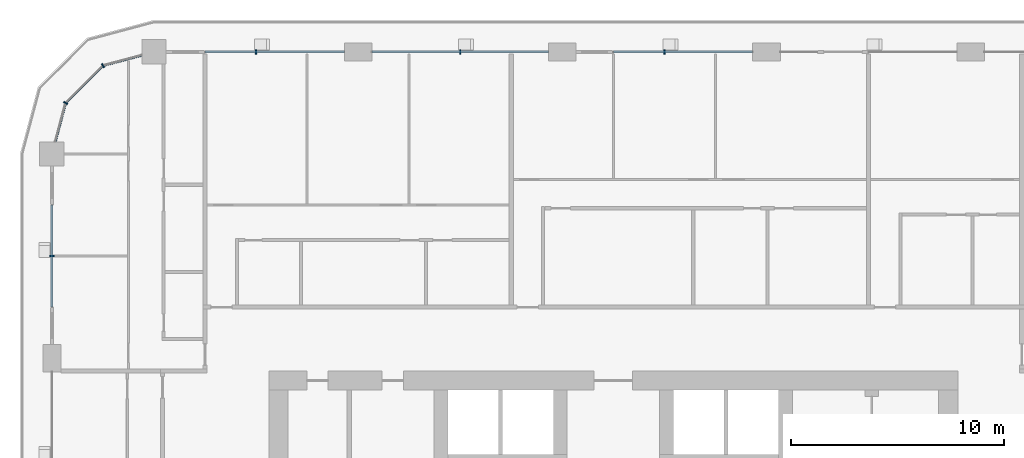
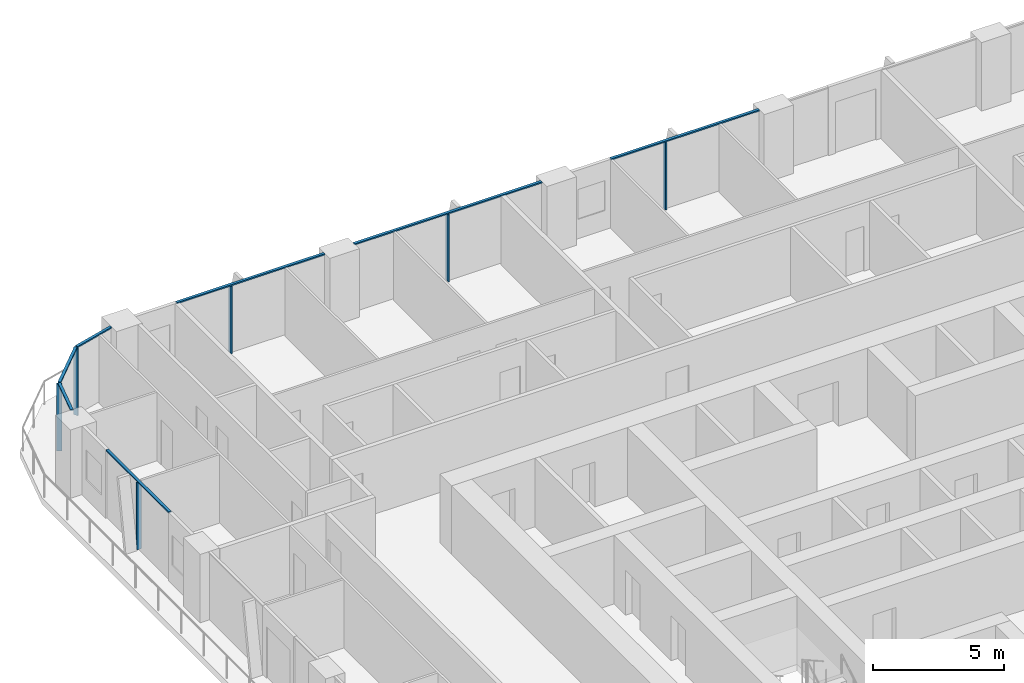
# One storey, part 5 of 21: 13 members, 5 elements without a shape of their own.
"""IFC4 building model written with IfcOpenShell, lengths in metres."""

import ifcopenshell
import ifcopenshell.guid

model = None  # the IFC model being written
_history = None  # IfcOwnerHistory: only IFC2X3 demands one
_inside = {}  # id of a spatial element -> (the spatial element, [elements in it])
_under = {}  # id of a project, library or spatial element -> (it, [spatial elements below it])
_declared = {}  # id of a project -> (the project, [libraries it declares])
_typed = {}  # id of a type object -> (the type object, [elements of that type])
_made_of = {}  # id of a material, layer set ... -> (it, [elements and type objects made of it])


def new_model(schema):
    """Start an empty IFC model of exactly this schema.

    Asked for "IFC4X3", IfcOpenShell would pick the latest addendum, in which some entities
    have other attributes; the version numbers below select the first issue.
    IFC2X3 requires an IfcOwnerHistory on every rooted entity: one is made here for all.
    """
    global model, _history
    if schema == "IFC4X3":
        model = ifcopenshell.file(schema_version=(4, 3, 0, 0))
    else:
        model = ifcopenshell.file(schema=schema)
    _inside.clear()
    _under.clear()
    _declared.clear()
    _typed.clear()
    _made_of.clear()
    _history = None
    if model.schema == "IFC2X3":
        org = make("IfcOrganization", Name="unknown")
        user = make(
            "IfcPersonAndOrganization",
            ThePerson=make("IfcPerson", FamilyName="unknown"),
            TheOrganization=org,
        )
        app = make(
            "IfcApplication",
            ApplicationDeveloper=org,
            Version="unknown",
            ApplicationFullName="unknown",
            ApplicationIdentifier="unknown",
        )
        _history = make(
            "IfcOwnerHistory",
            OwningUser=user,
            OwningApplication=app,
            ChangeAction="ADDED",
            CreationDate=0,
        )
    return model


def make(cls, **values):
    """One entity of the class cls with the attributes given. An attribute that is None is left unset."""
    return model.create_entity(
        cls, **{name: value for name, value in values.items() if value is not None}
    )


def rooted(cls, **values):
    """An entity with a GlobalId (a new one), such as an element, a storey or a relation."""
    return make(cls, GlobalId=ifcopenshell.guid.new(), OwnerHistory=_history, **values)


def si_unit(unit_type, name, prefix=None):
    """IfcSIUnit, for example si_unit("LENGTHUNIT", "METRE", prefix="MILLI")."""
    return make("IfcSIUnit", UnitType=unit_type, Prefix=prefix, Name=name)


def assignment(units):
    """IfcUnitAssignment: the units of a project."""
    return None if units is None else make("IfcUnitAssignment", Units=units)


def point(xyz):
    """IfcCartesianPoint."""
    return None if xyz is None else make("IfcCartesianPoint", Coordinates=xyz)


def direction(xyz):
    """IfcDirection."""
    return None if xyz is None else make("IfcDirection", DirectionRatios=xyz)


def frame(location, z_axis=None, x_axis=None):
    """IfcAxis2Placement3D, a coordinate frame: its origin and axes. An axis left out is left unset."""
    return make(
        "IfcAxis2Placement3D",
        Location=point(location),
        Axis=direction(z_axis),
        RefDirection=direction(x_axis),
    )


def frame_2d(location, x_axis=None):
    """IfcAxis2Placement2D, a coordinate frame in the plane: its origin and x axis."""
    return make(
        "IfcAxis2Placement2D", Location=point(location), RefDirection=direction(x_axis)
    )


def origin():
    """The frame at (0, 0, 0) with its axes left unset."""
    return frame((0.0, 0.0, 0.0))


def origin_2d():
    """The frame at (0, 0) in the plane with its x axis left unset."""
    return frame_2d((0.0, 0.0))


def place(relative_to, where):
    """IfcLocalPlacement: puts the frame where relative to a parent placement (None: the world)."""
    return make(
        "IfcLocalPlacement", PlacementRelTo=relative_to, RelativePlacement=where
    )


def context(
    kind, dimensions, precision=None, world=None, true_north=None, identifier=None
):
    """IfcGeometricRepresentationContext, for example the 3D "Model" context."""
    return make(
        "IfcGeometricRepresentationContext",
        ContextIdentifier=identifier,
        ContextType=kind,
        CoordinateSpaceDimension=dimensions,
        Precision=precision,
        WorldCoordinateSystem=world,
        TrueNorth=true_north,
    )


def subcontext(parent, identifier, kind, view, scale=None):
    """IfcGeometricRepresentationSubContext, for example "Body" below "Model"."""
    return make(
        "IfcGeometricRepresentationSubContext",
        ContextIdentifier=identifier,
        ContextType=kind,
        ParentContext=parent,
        TargetScale=scale,
        TargetView=view,
    )


def project(units=None, contexts=None):
    """IfcProject with its units and contexts."""
    return rooted(
        "IfcProject",
        Name="project",
        RepresentationContexts=contexts,
        UnitsInContext=assignment(units),
    )


def spatial(cls, under=None, at=None, **own):
    """A site, building, storey or space (cls), placed at a placement, below another one or the project."""
    s = rooted(cls, ObjectPlacement=at, **own)
    if under is not None:
        _under.setdefault(under.id(), (under, []))[1].append(s)
    return s


def profile(cls, at=None, kind="AREA", **sizes):
    """A parametric profile (cls). Its sizes go by their IFC names, for example OverallWidth=200.0."""
    return make(cls, ProfileType=kind, Position=at, **sizes)


def rectangle(**sizes):
    """IfcRectangleProfileDef."""
    return profile("IfcRectangleProfileDef", **sizes)


def extrude(swept, where, along, depth):
    """IfcExtrudedAreaSolid: the profile swept, set in the frame where, extruded along a direction by depth."""
    return make(
        "IfcExtrudedAreaSolid",
        SweptArea=swept,
        Position=where,
        ExtrudedDirection=direction(along),
        Depth=depth,
    )


def shape(context_of_items, identifier, shape_type, items):
    """IfcShapeRepresentation: the items that make up one representation, for example the "Body"."""
    return make(
        "IfcShapeRepresentation",
        ContextOfItems=context_of_items,
        RepresentationIdentifier=identifier,
        RepresentationType=shape_type,
        Items=items,
    )


def material(Name=None, Category=None):
    """IfcMaterial."""
    return make("IfcMaterial", Name=Name, Category=Category)


def layer(
    of_material, thickness, ventilated=None, Name=None, Category=None, Priority=None
):
    """IfcMaterialLayer: one layer of a wall or slab, of a material (None: an air gap)."""
    return make(
        "IfcMaterialLayer",
        Material=of_material,
        LayerThickness=thickness,
        IsVentilated=ventilated,
        Name=Name,
        Category=Category,
        Priority=Priority,
    )


def layer_set(layers, Name=None):
    """IfcMaterialLayerSet."""
    return make("IfcMaterialLayerSet", MaterialLayers=layers, LayerSetName=Name)


def material_profile(
    of_material, cross_section, Name=None, Category=None, Priority=None
):
    """IfcMaterialProfile: a cross section and its material."""
    return make(
        "IfcMaterialProfile",
        Name=Name,
        Material=of_material,
        Profile=cross_section,
        Priority=Priority,
        Category=Category,
    )


def profile_set(profiles, Name=None, composite=None):
    """IfcMaterialProfileSet."""
    return make(
        "IfcMaterialProfileSet",
        Name=Name,
        MaterialProfiles=profiles,
        CompositeProfile=composite,
    )


def made_of(thing, what):
    """Note that an element or type object is made of a material, layer set ...; save() writes the relation."""
    if what is not None:
        _made_of.setdefault(what.id(), (what, []))[1].append(thing)
    return thing


def type_object(cls, material=None, **own):
    """A type object (cls), such as IfcWallType, which elements share."""
    return made_of(rooted(cls, **own), material)


def element(
    cls,
    number,
    at=None,
    inside=None,
    cuts=None,
    type_object=None,
    material=None,
    context=None,
    identifier="Body",
    shape_type=None,
    held_by="IfcProductDefinitionShape",
    body=None,
    shapes=None,
    **own,
):
    """One element of the class cls, such as IfcWall. Its Tag is "e" and its number.

    at: its placement. inside: the storey or other place that contains it. cuts: it is an
    opening in that element (IfcRelVoidsElement). A single representation is given by context,
    identifier, shape_type and body (its items); several are given by shapes. held_by: the class
    of the entity that holds the representations. save() writes the other relations.
    """
    e = rooted(cls, Tag="e%d" % number, ObjectPlacement=at, **own)
    if body is not None:
        shapes = [shape(context, identifier, shape_type, body)]
    if shapes is not None:
        e.Representation = make(held_by, Representations=shapes)
    if inside is not None:
        _inside.setdefault(inside.id(), (inside, []))[1].append(e)
    if cuts is not None:
        rooted(
            "IfcRelVoidsElement", RelatingBuildingElement=cuts, RelatedOpeningElement=e
        )
    if type_object is not None:
        _typed.setdefault(type_object.id(), (type_object, []))[1].append(e)
    return made_of(e, material)


def aggregate(whole, parts):
    """IfcRelAggregates: a whole, such as a stair, and the parts it consists of."""
    return rooted("IfcRelAggregates", RelatingObject=whole, RelatedObjects=parts)


def save(model, path):
    """Write the relations noted so far, then the file.

    IfcRelAggregates (storeys below a building ...), IfcRelContainedInSpatialStructure (elements
    in a storey), IfcRelDefinesByType, IfcRelAssociatesMaterial and IfcRelDeclares: one each for
    every whole, place, type object, material and project.
    """
    for whole, parts in _under.values():
        aggregate(whole, parts)
    for where, things in _inside.values():
        rooted(
            "IfcRelContainedInSpatialStructure",
            RelatedElements=things,
            RelatingStructure=where,
        )
    for kind, things in _typed.values():
        rooted("IfcRelDefinesByType", RelatedObjects=things, RelatingType=kind)
    for what, things in _made_of.values():
        rooted("IfcRelAssociatesMaterial", RelatedObjects=things, RelatingMaterial=what)
    for by, libraries in _declared.values():
        rooted("IfcRelDeclares", RelatingContext=by, RelatedDefinitions=libraries)
    model.write(path)


model = new_model("IFC4")

# Units and contexts
model_context = context("Model", 3, precision=1e-05, world=origin(), true_north=direction((0.0, 1.0)))
body_context = subcontext(model_context, "Body", "Model", "MODEL_VIEW")
ifc_project = project(units=[si_unit("LENGTHUNIT", "METRE"), si_unit("AREAUNIT", "SQUARE_METRE"), si_unit("VOLUMEUNIT", "CUBIC_METRE"), si_unit("PLANEANGLEUNIT", "RADIAN"), si_unit("MASSUNIT", "GRAM", prefix="KILO")], contexts=[model_context])

# Site, building, storey
site_placement = place(None, origin())
site = spatial("IfcSite", under=ifc_project, at=site_placement, CompositionType="ELEMENT")
building_placement = place(site_placement, origin())
building = spatial("IfcBuilding", under=site, at=building_placement, Name="Madar Terraces", CompositionType="ELEMENT")
storey_placement = place(building_placement, frame((0.0, 0.0, 92.699951171875)))
storey = spatial("IfcBuildingStorey", under=building, at=storey_placement, Name="L23", CompositionType="ELEMENT", Elevation=92.699951171875)

# Curtain wall, member
ifc_material_1 = material(Name="Glass, ceramic frit dark grey, with black aluminium frame", Category="aluminium")
ifc_layer = layer(ifc_material_1, 0.199951171875)
ifc_layer_set = layer_set([ifc_layer], Name="Facade curtain wall, fritted glass")
curtain_wall_type = type_object("IfcCurtainWallType", Name="Facade curtain wall, fritted glass", PredefinedType="NOTDEFINED", material=ifc_layer_set)
curtain_wall_1_placement = place(storey_placement, origin())
curtain_wall_1 = element("IfcCurtainWall", 1, at=curtain_wall_1_placement, inside=storey, type_object=curtain_wall_type, Name="Outer skin curtain wall north bay 3", PredefinedType="NOTDEFINED")
ifc_material_2 = material(Name="Aluminium, black anodised", Category="aluminium")
ifc_material_profile_1 = material_profile(ifc_material_2, rectangle(XDim=0.199951171875, YDim=0.06005859375, at=origin_2d()), Name="Facade mullion 60x200")
ifc_profile_set_1 = profile_set([ifc_material_profile_1], Name="Aluminium, black anodised")
member_type_1 = type_object("IfcMemberType", Name="Facade mullion 60x200", PredefinedType="MULLION", material=ifc_profile_set_1)
member_1_placement = place(storey_placement, frame((33.60009765625, 52.800048828125, 0.0), z_axis=(0.0, 0.0, 1.0), x_axis=(0.0, -1.0, 0.0)))
member_1 = element("IfcMember", 2, at=member_1_placement, type_object=member_type_1, Name="Mullion 1", PredefinedType="MULLION", context=body_context, shape_type="SweptSolid", body=[
    extrude(rectangle(XDim=0.199951171875, YDim=0.06005859375, at=origin_2d()), origin(), (0.0, 0.0, 1.0), 3.14013671875),
])

curtain_wall_2_placement = place(storey_placement, origin())
curtain_wall_2 = element("IfcCurtainWall", 3, at=curtain_wall_2_placement, inside=storey, type_object=curtain_wall_type, Name="Outer skin curtain wall north bay 4", PredefinedType="NOTDEFINED")
member_2_placement = place(storey_placement, frame((24.0, 52.800048828125, 0.0), z_axis=(0.0, 0.0, 1.0), x_axis=(0.0, -1.0, 0.0)))
member_2 = element("IfcMember", 4, at=member_2_placement, type_object=member_type_1, Name="Mullion 1", PredefinedType="MULLION", context=body_context, shape_type="SweptSolid", body=[
    extrude(rectangle(XDim=0.199951171875, YDim=0.06005859375, at=origin_2d()), origin(), (0.0, 0.0, 1.0), 3.14013671875),
])

curtain_wall_3_placement = place(storey_placement, origin())
curtain_wall_3 = element("IfcCurtainWall", 5, at=curtain_wall_3_placement, inside=storey, type_object=curtain_wall_type, Name="Outer skin curtain wall north bay 5", PredefinedType="NOTDEFINED")
member_3_placement = place(storey_placement, frame((14.39990234375, 52.800048828125, 0.0), z_axis=(0.0, 0.0, 1.0), x_axis=(0.0, -1.0, 0.0)))
member_3 = element("IfcMember", 6, at=member_3_placement, type_object=member_type_1, Name="Mullion 1", PredefinedType="MULLION", context=body_context, shape_type="SweptSolid", body=[
    extrude(rectangle(XDim=0.199951171875, YDim=0.06005859375, at=origin_2d()), origin(), (0.0, 0.0, 1.0), 3.14013671875),
])

curtain_wall_4_placement = place(storey_placement, origin())
curtain_wall_4 = element("IfcCurtainWall", 7, at=curtain_wall_4_placement, inside=storey, type_object=curtain_wall_type, Name="Outer skin curtain wall west bay 1", PredefinedType="NOTDEFINED")
member_4_placement = place(storey_placement, frame((4.800048828125, 43.199951171875, 0.0), z_axis=(0.0, 0.0, 1.0), x_axis=(1.0, 0.0, 0.0)))
member_4 = element("IfcMember", 8, at=member_4_placement, type_object=member_type_1, Name="Mullion 1", PredefinedType="MULLION", context=body_context, shape_type="SweptSolid", body=[
    extrude(rectangle(XDim=0.199951171875, YDim=0.06005859375, at=origin_2d()), origin(), (0.0, 0.0, 1.0), 3.14013671875),
])

# Curtain wall, members
curtain_wall_5_placement = place(storey_placement, origin())
curtain_wall_5 = element("IfcCurtainWall", 9, at=curtain_wall_5_placement, inside=storey, type_object=curtain_wall_type, Name="Outer skin curtain wall north-west corner", PredefinedType="NOTDEFINED")
member_5_placement = place(storey_placement, frame((7.199951171875, 52.156982421875, 0.0), z_axis=(0.0, 0.0, 1.0), x_axis=(0.499999989586, -0.866025409797, 0.0)))
member_5 = element("IfcMember", 10, at=member_5_placement, type_object=member_type_1, Name="Mullion 1", PredefinedType="MULLION", context=body_context, shape_type="SweptSolid", body=[
    extrude(rectangle(XDim=0.199951171875, YDim=0.06005859375, at=origin_2d()), origin(), (0.0, 0.0, 1.0), 3.14013671875),
])
member_6_placement = place(storey_placement, frame((5.443115234375, 50.39990234375, 0.0), z_axis=(0.0, 0.0, 1.0), x_axis=(0.866025409797, -0.499999989586, 0.0)))
member_6 = element("IfcMember", 11, at=member_6_placement, type_object=member_type_1, Name="Mullion 2", PredefinedType="MULLION", context=body_context, shape_type="SweptSolid", body=[
    extrude(rectangle(XDim=0.199951171875, YDim=0.06005859375, at=origin_2d()), origin(), (0.0, 0.0, 1.0), 3.14013671875),
])

# Member
ifc_material_3 = material(Name="Aluminium, black anodised", Category="aluminium")
ifc_material_profile_2 = material_profile(ifc_material_3, rectangle(XDim=0.1201171875, YDim=0.06005859375, at=origin_2d()), Name="Facade transom 60x120")
ifc_profile_set_2 = profile_set([ifc_material_profile_2], Name="Aluminium, black anodised")
member_type_2 = type_object("IfcMemberType", Name="Facade transom 60x120", PredefinedType="USERDEFINED", material=ifc_profile_set_2)
member_7_placement = place(storey_placement, frame((37.75, 52.800048828125, 3.170166015625), z_axis=(-1.0, 0.0, 0.0), x_axis=(0.0, -1.0, 0.0)))
member_7 = element("IfcMember", 12, at=member_7_placement, type_object=member_type_2, Name="Transom 1", ObjectType="TRANSOM", PredefinedType="USERDEFINED", context=body_context, shape_type="SweptSolid", body=[
    extrude(rectangle(XDim=0.1201171875, YDim=0.06005859375, at=origin_2d()), origin(), (0.0, 0.0, 1.0), 6.550048828125),
])

aggregate(curtain_wall_1, [member_1, member_7])

member_8_placement = place(storey_placement, frame((28.14990234375, 52.800048828125, 3.170166015625), z_axis=(-1.0, 0.0, 0.0), x_axis=(0.0, -1.0, 0.0)))
member_8 = element("IfcMember", 13, at=member_8_placement, type_object=member_type_2, Name="Transom 1", ObjectType="TRANSOM", PredefinedType="USERDEFINED", context=body_context, shape_type="SweptSolid", body=[
    extrude(rectangle(XDim=0.1201171875, YDim=0.06005859375, at=origin_2d()), origin(), (0.0, 0.0, 1.0), 8.2998046875),
])

aggregate(curtain_wall_2, [member_2, member_8])

member_9_placement = place(storey_placement, frame((18.550048828125, 52.800048828125, 3.170166015625), z_axis=(-1.0, 0.0, 0.0), x_axis=(0.0, -1.0, 0.0)))
member_9 = element("IfcMember", 14, at=member_9_placement, type_object=member_type_2, Name="Transom 1", ObjectType="TRANSOM", PredefinedType="USERDEFINED", context=body_context, shape_type="SweptSolid", body=[
    extrude(rectangle(XDim=0.1201171875, YDim=0.06005859375, at=origin_2d()), origin(), (0.0, 0.0, 1.0), 6.550048828125),
])

aggregate(curtain_wall_3, [member_3, member_9])

member_10_placement = place(storey_placement, frame((4.800048828125, 45.60009765625, 3.170166015625), z_axis=(0.0, -1.0, 0.0), x_axis=(1.0, 0.0, 0.0)))
member_10 = element("IfcMember", 15, at=member_10_placement, type_object=member_type_2, Name="Transom 1", ObjectType="TRANSOM", PredefinedType="USERDEFINED", context=body_context, shape_type="SweptSolid", body=[
    extrude(rectangle(XDim=0.1201171875, YDim=0.06005859375, at=origin_2d()), origin(), (0.0, 0.0, 1.0), 4.800048828125),
])

aggregate(curtain_wall_4, [member_4, member_10])

member_11_placement = place(storey_placement, frame((9.02490234375, 52.64599609375, 3.170166015625), z_axis=(-0.965926950947, -0.258814847786, 0.0), x_axis=(0.258814847786, -0.965926950947, 0.0)))
member_11 = element("IfcMember", 16, at=member_11_placement, type_object=member_type_2, Name="Transom 1", ObjectType="TRANSOM", PredefinedType="USERDEFINED", context=body_context, shape_type="SweptSolid", body=[
    extrude(rectangle(XDim=0.1201171875, YDim=0.06005859375, at=origin_2d()), origin(), (0.0, 0.0, 1.0), 1.859130859375),
])

member_12_placement = place(storey_placement, frame((7.1787109375, 52.1357421875, 3.170166015625), z_axis=(-0.707056433593, -0.707157125196, 0.0), x_axis=(0.707157125196, -0.707056433593, 0.0)))
member_12 = element("IfcMember", 17, at=member_12_placement, type_object=member_type_2, Name="Transom 2", ObjectType="TRANSOM", PredefinedType="USERDEFINED", context=body_context, shape_type="SweptSolid", body=[
    extrude(rectangle(XDim=0.1201171875, YDim=0.06005859375, at=origin_2d()), origin(), (0.0, 0.0, 1.0), 2.424560546875),
])

member_13_placement = place(storey_placement, frame((5.435302734375, 50.37109375, 3.170166015625), z_axis=(-0.258782024434, -0.965935745187, 0.0), x_axis=(0.965935745187, -0.258782024434, 0.0)))
member_13 = element("IfcMember", 18, at=member_13_placement, type_object=member_type_2, Name="Transom 3", ObjectType="TRANSOM", PredefinedType="USERDEFINED", context=body_context, shape_type="SweptSolid", body=[
    extrude(rectangle(XDim=0.1201171875, YDim=0.06005859375, at=origin_2d()), origin(), (0.0, 0.0, 1.0), 1.859375),
])

aggregate(curtain_wall_5, [member_5, member_11, member_6, member_12, member_13])

save(model, "model.ifc")
